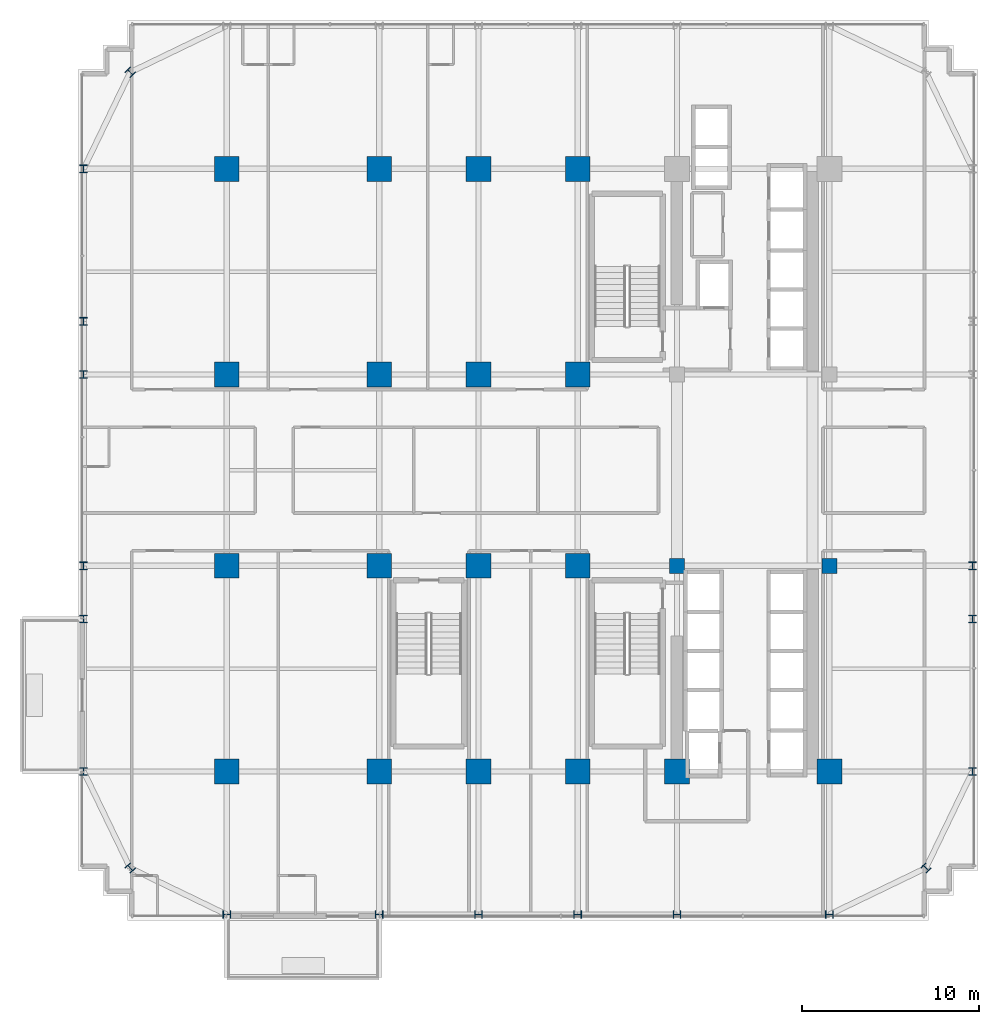
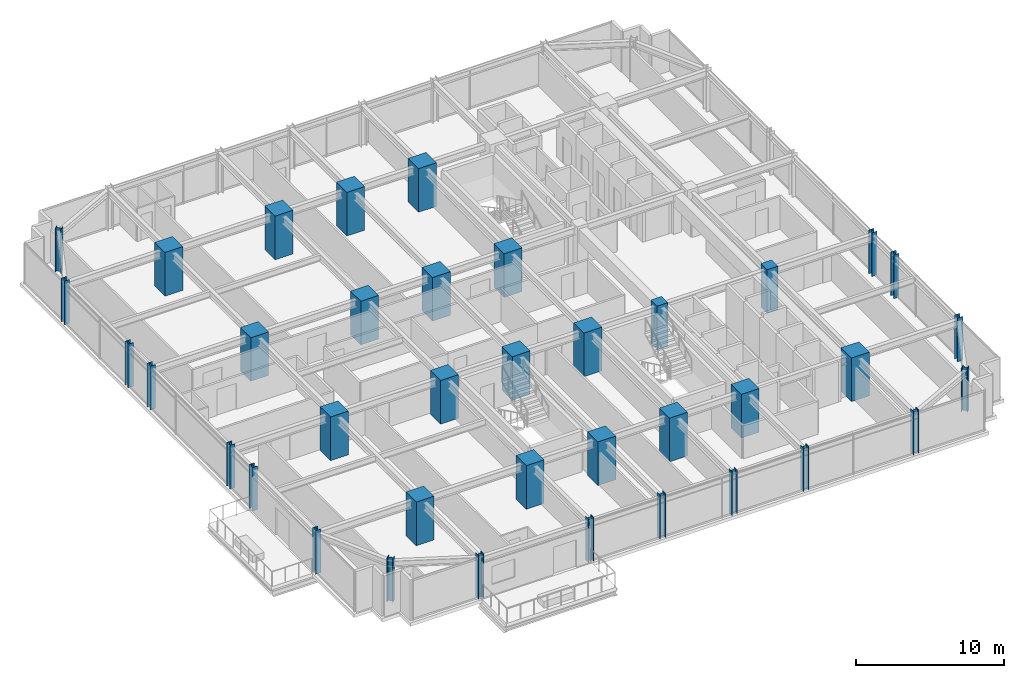
# One storey, part 1 of 37: 38 columns.
"""IFC4 building model written with IfcOpenShell, lengths in metres."""

from ifc_helpers import new_model, si_unit, direction, frame, origin, origin_2d, place, context, subcontext, project, spatial, rectangle, i_section, extrude, source, transform, mapped, material, material_profile, profile_set, type_object, element, save


model = new_model("IFC4")

# Units and contexts
model_context = context("Model", 3, precision=1e-05, world=origin(), true_north=direction((0.0, 1.0)))
body_context = subcontext(model_context, "Body", "Model", "MODEL_VIEW")
ifc_project = project(units=[si_unit("LENGTHUNIT", "METRE"), si_unit("AREAUNIT", "SQUARE_METRE"), si_unit("VOLUMEUNIT", "CUBIC_METRE"), si_unit("PLANEANGLEUNIT", "RADIAN"), si_unit("MASSUNIT", "GRAM", prefix="KILO")], contexts=[model_context])

# Site, building, storey
site_placement = place(None, origin())
site = spatial("IfcSite", under=ifc_project, at=site_placement, CompositionType="ELEMENT")
building_placement = place(site_placement, origin())
building = spatial("IfcBuilding", under=site, at=building_placement, Name="Nahalor Promenade Grand Hotel", CompositionType="ELEMENT")
storey_placement = place(building_placement, frame((0.0, 0.0, 36.050048828125)))
storey = spatial("IfcBuildingStorey", under=building, at=storey_placement, Name="L07", CompositionType="ELEMENT", Elevation=36.050048828125)

# Columns
ifc_material_1 = material(Name="Concrete B-70 (C60/75)", Category="concrete")
ifc_material_profile_1 = material_profile(ifc_material_1, rectangle(XDim=1.4, YDim=1.4, at=origin_2d()), Name="RC 1400x1400")
ifc_profile_set_1 = profile_set([ifc_material_profile_1], Name="Concrete B-70 (C60/75)")
column_type_1 = type_object("IfcColumnType", Name="Col-RC-1400", PredefinedType="COLUMN", material=ifc_profile_set_1)
shared_shape_1 = source(origin(), body_context, "Body", "SweptSolid", [
    extrude(rectangle(XDim=1.4, YDim=1.4, at=origin_2d()), origin(), (0.0, 0.0, 1.0), 3.60498046875),
])
for number, where, z_axis, x_axis, name in (
    (1, (-17.0, -17.0, 0.0), (0.0, 0.0, 1.0), (1.0, 0.0, 0.0), "COL-L07-I00"),
    (2, (-17.0, -5.39990234375, 0.0), (0.0, 0.0, 1.0), (1.0, 0.0, 0.0), "COL-L07-I01"),
    (3, (-17.0, 5.39990234375, 0.0), (0.0, 0.0, 1.0), (1.0, 0.0, 0.0), "COL-L07-I02"),
    (4, (-17.0, 17.0, 0.0), (0.0, 0.0, 1.0), (1.0, 0.0, 0.0), "COL-L07-I03"),
    (5, (-8.39990234375, -17.0, 0.0), (0.0, 0.0, 1.0), (1.0, 0.0, 0.0), "COL-L07-I10"),
    (6, (-8.39990234375, -5.39990234375, 0.0), (0.0, 0.0, 1.0), (1.0, 0.0, 0.0), "COL-L07-I11"),
    (7, (-8.39990234375, 5.39990234375, 0.0), (0.0, 0.0, 1.0), (1.0, 0.0, 0.0), "COL-L07-I12"),
    (8, (-8.39990234375, 17.0, 0.0), (0.0, 0.0, 1.0), (1.0, 0.0, 0.0), "COL-L07-I13"),
    (9, (-2.800048828125, -17.0, 0.0), (0.0, 0.0, 1.0), (1.0, 0.0, 0.0), "COL-L07-I20"),
    (10, (-2.800048828125, -5.39990234375, 0.0), (0.0, 0.0, 1.0), (1.0, 0.0, 0.0), "COL-L07-I21"),
    (11, (-2.800048828125, 5.39990234375, 0.0), (0.0, 0.0, 1.0), (1.0, 0.0, 0.0), "COL-L07-I22"),
    (12, (-2.800048828125, 17.0, 0.0), (0.0, 0.0, 1.0), (1.0, 0.0, 0.0), "COL-L07-I23"),
    (13, (2.800048828125, -17.0, 0.0), (0.0, 0.0, 1.0), (1.0, 0.0, 0.0), "COL-L07-I30"),
    (14, (2.800048828125, -5.39990234375, 0.0), (0.0, 0.0, 1.0), (1.0, 0.0, 0.0), "COL-L07-I31"),
    (15, (2.800048828125, 5.39990234375, 0.0), (0.0, 0.0, 1.0), (1.0, 0.0, 0.0), "COL-L07-I32"),
    (16, (2.800048828125, 17.0, 0.0), (0.0, 0.0, 1.0), (1.0, 0.0, 0.0), "COL-L07-I33"),
    (17, (8.39990234375, -17.0, 0.0), (0.0, 0.0, 1.0), (1.0, 0.0, 0.0), "COL-L07-I40"),
    (18, (17.0, -17.0, 0.0), (0.0, 0.0, 1.0), (1.0, 0.0, 0.0), "COL-L07-I50"),
):
    element("IfcColumn", number, at=place(storey_placement, frame(where, z_axis=z_axis, x_axis=x_axis)), inside=storey, type_object=column_type_1, Name=name, PredefinedType="COLUMN", context=body_context, shape_type="MappedRepresentation", body=[
        mapped(shared_shape_1, transform((0.0, 0.0, 0.0), scale=1.0)),
    ])
ifc_material_profile_2 = material_profile(ifc_material_1, rectangle(XDim=0.85, YDim=0.85, at=origin_2d()), Name="RC 850x850")
ifc_profile_set_2 = profile_set([ifc_material_profile_2], Name="Concrete B-70 (C60/75)")
column_type_2 = type_object("IfcColumnType", Name="Col-Pilaster-850", PredefinedType="PILASTER", material=ifc_profile_set_2)
shared_shape_2 = source(origin(), body_context, "Body", "SweptSolid", [
    extrude(rectangle(XDim=0.85, YDim=0.85, at=origin_2d()), origin(), (0.0, 0.0, 1.0), 3.60498046875),
])
for number, where, z_axis, x_axis, name in (
    (19, (8.39990234375, -5.39990234375, 0.0), (0.0, 0.0, 1.0), (1.0, 0.0, 0.0), "COL-L07-I41"),
    (20, (17.0, -5.39990234375, 0.0), (0.0, 0.0, 1.0), (1.0, 0.0, 0.0), "COL-L07-I51"),
):
    element("IfcColumn", number, at=place(storey_placement, frame(where, z_axis=z_axis, x_axis=x_axis)), inside=storey, type_object=column_type_2, Name=name, PredefinedType="PILASTER", context=body_context, shape_type="MappedRepresentation", body=[
        mapped(shared_shape_2, transform((0.0, 0.0, 0.0), scale=1.0)),
    ])
ifc_material_2 = material(Name="Steel S355J2", Category="steel")
ifc_material_profile_3 = material_profile(ifc_material_2, i_section(OverallWidth=0.412, OverallDepth=0.438, WebThickness=0.0226, FlangeThickness=0.0365, at=origin_2d()), Name="HD 400x463")
ifc_profile_set_3 = profile_set([ifc_material_profile_3], Name="Steel S355J2")
column_type_3 = type_object("IfcColumnType", Name="Col-Steel-HD463", PredefinedType="COLUMN", material=ifc_profile_set_3)
shared_shape_3 = source(origin(), body_context, "Body", "SweptSolid", [
    extrude(i_section(OverallWidth=0.412, OverallDepth=0.438, WebThickness=0.0226, FlangeThickness=0.0365, at=origin_2d()), origin(), (0.0, 0.0, 1.0), 3.60498046875),
])
for number, where, z_axis, x_axis, name in (
    (21, (-25.080078125, -17.0, 0.0), (0.0, 0.0, 1.0), (1.0, 0.0, 0.0), "COL-L07-PW-W0"),
    (22, (25.080078125, -17.0, 0.0), (0.0, 0.0, 1.0), (1.0, 0.0, 0.0), "COL-L07-PW-E0"),
    (23, (-25.080078125, -8.39990234375, 0.0), (0.0, 0.0, 1.0), (1.0, 0.0, 0.0), "COL-L07-PW-W1"),
    (24, (25.080078125, -8.39990234375, 0.0), (0.0, 0.0, 1.0), (1.0, 0.0, 0.0), "COL-L07-PW-E1"),
    (25, (-25.080078125, -5.39990234375, 0.0), (0.0, 0.0, 1.0), (1.0, 0.0, 0.0), "COL-L07-PW-W2"),
    (26, (25.080078125, -5.39990234375, 0.0), (0.0, 0.0, 1.0), (1.0, 0.0, 0.0), "COL-L07-PW-E2"),
    (27, (-25.080078125, 5.39990234375, 0.0), (0.0, 0.0, 1.0), (1.0, 0.0, 0.0), "COL-L07-PW-W3"),
    (28, (-25.080078125, 8.39990234375, 0.0), (0.0, 0.0, 1.0), (1.0, 0.0, 0.0), "COL-L07-PW-W4"),
    (29, (-25.080078125, 17.0, 0.0), (0.0, 0.0, 1.0), (1.0, 0.0, 0.0), "COL-L07-PW-W5"),
    (30, (-17.0, -25.080078125, 0.0), (0.0, 0.0, 1.0), (0.0, 1.0, 0.0), "COL-L07-PN-S0"),
    (31, (-8.39990234375, -25.080078125, 0.0), (0.0, 0.0, 1.0), (0.0, 1.0, 0.0), "COL-L07-PN-S1"),
    (32, (-2.800048828125, -25.080078125, 0.0), (0.0, 0.0, 1.0), (0.0, 1.0, 0.0), "COL-L07-PN-S2"),
    (33, (2.800048828125, -25.080078125, 0.0), (0.0, 0.0, 1.0), (0.0, 1.0, 0.0), "COL-L07-PN-S3"),
    (34, (8.39990234375, -25.080078125, 0.0), (0.0, 0.0, 1.0), (0.0, 1.0, 0.0), "COL-L07-PN-S4"),
    (35, (17.0, -25.080078125, 0.0), (0.0, 0.0, 1.0), (0.0, 1.0, 0.0), "COL-L07-PN-S5"),
    (36, (-22.449951171875, -22.449951171875, 0.0), (0.0, 0.0, 1.0), (0.707106781187, 0.707106781187, 0.0), "COL-L07-CRN-SW"),
    (37, (-22.449951171875, 22.449951171875, 0.0), (0.0, 0.0, 1.0), (0.707106781187, 0.707106781187, 0.0), "COL-L07-CRN-NW"),
    (38, (22.449951171875, -22.449951171875, 0.0), (0.0, 0.0, 1.0), (0.707106781187, 0.707106781187, 0.0), "COL-L07-CRN-SE"),
):
    element("IfcColumn", number, at=place(storey_placement, frame(where, z_axis=z_axis, x_axis=x_axis)), inside=storey, type_object=column_type_3, Name=name, PredefinedType="COLUMN", context=body_context, shape_type="MappedRepresentation", body=[
        mapped(shared_shape_3, transform((0.0, 0.0, 0.0), scale=1.0)),
    ])

save(model, "model.ifc")
